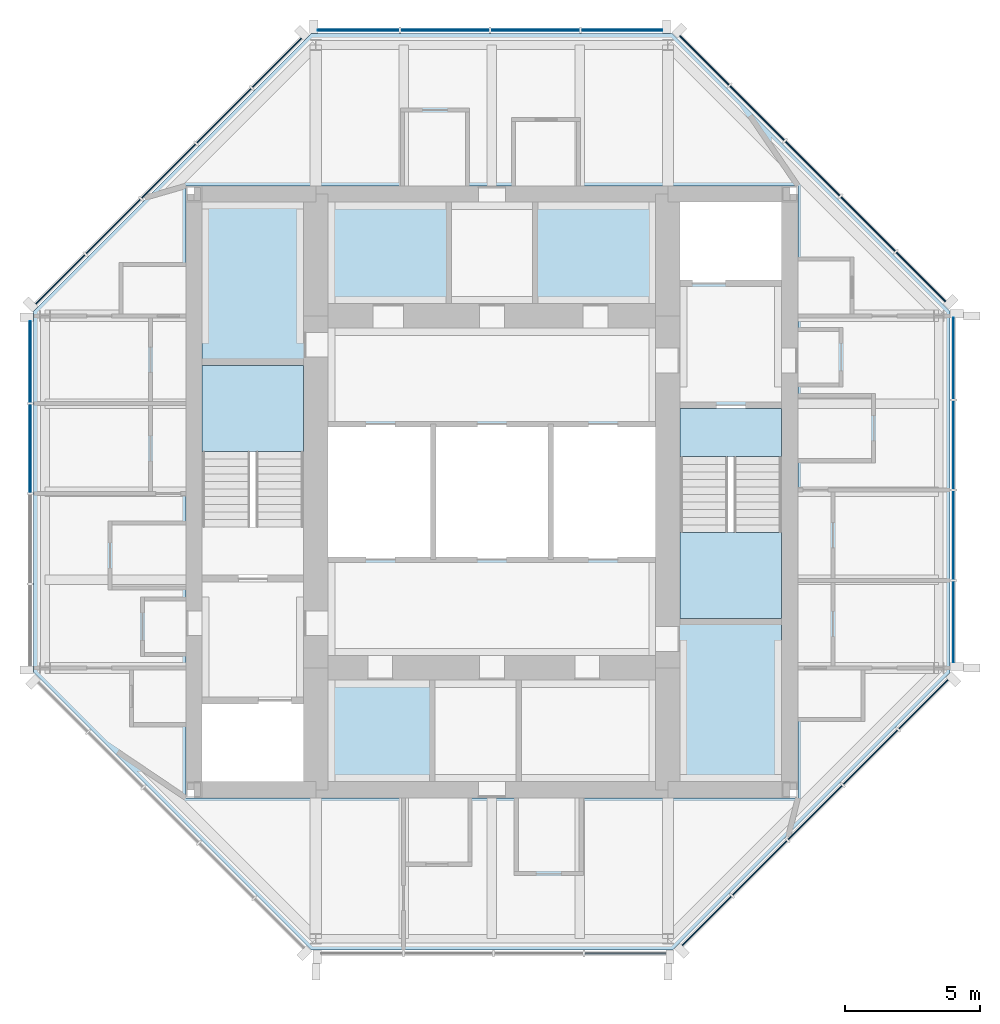
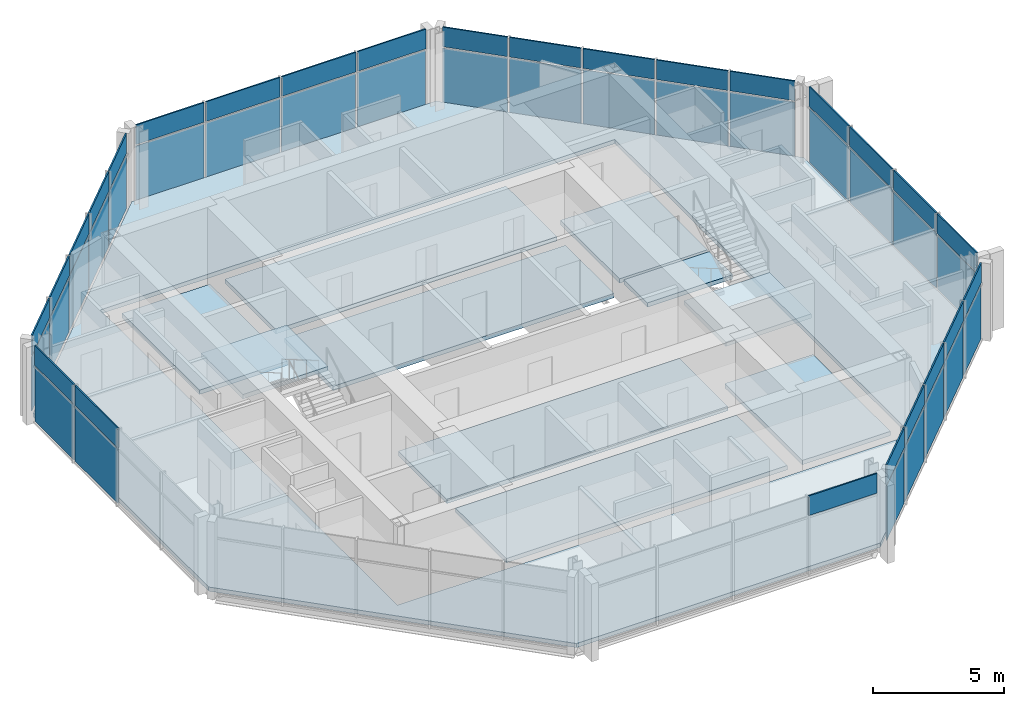
# One storey, part 4 of 9: 51 plates, 11 slabs, 9 elements without a shape of their own.
"""IFC4 building model written with IfcOpenShell, lengths in metres."""

import ifcopenshell
import ifcopenshell.guid

model = None  # the IFC model being written
_history = None  # IfcOwnerHistory: only IFC2X3 demands one
_inside = {}  # id of a spatial element -> (the spatial element, [elements in it])
_under = {}  # id of a project, library or spatial element -> (it, [spatial elements below it])
_declared = {}  # id of a project -> (the project, [libraries it declares])
_typed = {}  # id of a type object -> (the type object, [elements of that type])
_made_of = {}  # id of a material, layer set ... -> (it, [elements and type objects made of it])


def new_model(schema):
    """Start an empty IFC model of exactly this schema.

    Asked for "IFC4X3", IfcOpenShell would pick the latest addendum, in which some entities
    have other attributes; the version numbers below select the first issue.
    IFC2X3 requires an IfcOwnerHistory on every rooted entity: one is made here for all.
    """
    global model, _history
    if schema == "IFC4X3":
        model = ifcopenshell.file(schema_version=(4, 3, 0, 0))
    else:
        model = ifcopenshell.file(schema=schema)
    _inside.clear()
    _under.clear()
    _declared.clear()
    _typed.clear()
    _made_of.clear()
    _history = None
    if model.schema == "IFC2X3":
        org = make("IfcOrganization", Name="unknown")
        user = make(
            "IfcPersonAndOrganization",
            ThePerson=make("IfcPerson", FamilyName="unknown"),
            TheOrganization=org,
        )
        app = make(
            "IfcApplication",
            ApplicationDeveloper=org,
            Version="unknown",
            ApplicationFullName="unknown",
            ApplicationIdentifier="unknown",
        )
        _history = make(
            "IfcOwnerHistory",
            OwningUser=user,
            OwningApplication=app,
            ChangeAction="ADDED",
            CreationDate=0,
        )
    return model


def make(cls, **values):
    """One entity of the class cls with the attributes given. An attribute that is None is left unset."""
    return model.create_entity(
        cls, **{name: value for name, value in values.items() if value is not None}
    )


def rooted(cls, **values):
    """An entity with a GlobalId (a new one), such as an element, a storey or a relation."""
    return make(cls, GlobalId=ifcopenshell.guid.new(), OwnerHistory=_history, **values)


def si_unit(unit_type, name, prefix=None):
    """IfcSIUnit, for example si_unit("LENGTHUNIT", "METRE", prefix="MILLI")."""
    return make("IfcSIUnit", UnitType=unit_type, Prefix=prefix, Name=name)


def assignment(units):
    """IfcUnitAssignment: the units of a project."""
    return None if units is None else make("IfcUnitAssignment", Units=units)


def point(xyz):
    """IfcCartesianPoint."""
    return None if xyz is None else make("IfcCartesianPoint", Coordinates=xyz)


def direction(xyz):
    """IfcDirection."""
    return None if xyz is None else make("IfcDirection", DirectionRatios=xyz)


def frame(location, z_axis=None, x_axis=None):
    """IfcAxis2Placement3D, a coordinate frame: its origin and axes. An axis left out is left unset."""
    return make(
        "IfcAxis2Placement3D",
        Location=point(location),
        Axis=direction(z_axis),
        RefDirection=direction(x_axis),
    )


def frame_2d(location, x_axis=None):
    """IfcAxis2Placement2D, a coordinate frame in the plane: its origin and x axis."""
    return make(
        "IfcAxis2Placement2D", Location=point(location), RefDirection=direction(x_axis)
    )


def origin():
    """The frame at (0, 0, 0) with its axes left unset."""
    return frame((0.0, 0.0, 0.0))


def origin_2d():
    """The frame at (0, 0) in the plane with its x axis left unset."""
    return frame_2d((0.0, 0.0))


def place(relative_to, where):
    """IfcLocalPlacement: puts the frame where relative to a parent placement (None: the world)."""
    return make(
        "IfcLocalPlacement", PlacementRelTo=relative_to, RelativePlacement=where
    )


def context(
    kind, dimensions, precision=None, world=None, true_north=None, identifier=None
):
    """IfcGeometricRepresentationContext, for example the 3D "Model" context."""
    return make(
        "IfcGeometricRepresentationContext",
        ContextIdentifier=identifier,
        ContextType=kind,
        CoordinateSpaceDimension=dimensions,
        Precision=precision,
        WorldCoordinateSystem=world,
        TrueNorth=true_north,
    )


def subcontext(parent, identifier, kind, view, scale=None):
    """IfcGeometricRepresentationSubContext, for example "Body" below "Model"."""
    return make(
        "IfcGeometricRepresentationSubContext",
        ContextIdentifier=identifier,
        ContextType=kind,
        ParentContext=parent,
        TargetScale=scale,
        TargetView=view,
    )


def project(units=None, contexts=None):
    """IfcProject with its units and contexts."""
    return rooted(
        "IfcProject",
        Name="project",
        RepresentationContexts=contexts,
        UnitsInContext=assignment(units),
    )


def spatial(cls, under=None, at=None, **own):
    """A site, building, storey or space (cls), placed at a placement, below another one or the project."""
    s = rooted(cls, ObjectPlacement=at, **own)
    if under is not None:
        _under.setdefault(under.id(), (under, []))[1].append(s)
    return s


def polyline(points):
    """IfcPolyline through the points."""
    return make("IfcPolyline", Points=[point(p) for p in points])


def profile(cls, at=None, kind="AREA", **sizes):
    """A parametric profile (cls). Its sizes go by their IFC names, for example OverallWidth=200.0."""
    return make(cls, ProfileType=kind, Position=at, **sizes)


def rectangle(**sizes):
    """IfcRectangleProfileDef."""
    return profile("IfcRectangleProfileDef", **sizes)


def outline(outer, holes=None, kind="AREA"):
    """IfcArbitraryClosedProfileDef: a profile drawn as a closed curve; with holes, ...WithVoids."""
    if holes is None:
        return make("IfcArbitraryClosedProfileDef", ProfileType=kind, OuterCurve=outer)
    return make(
        "IfcArbitraryProfileDefWithVoids",
        ProfileType=kind,
        OuterCurve=outer,
        InnerCurves=holes,
    )


def extrude(swept, where, along, depth):
    """IfcExtrudedAreaSolid: the profile swept, set in the frame where, extruded along a direction by depth."""
    return make(
        "IfcExtrudedAreaSolid",
        SweptArea=swept,
        Position=where,
        ExtrudedDirection=direction(along),
        Depth=depth,
    )


def shape(context_of_items, identifier, shape_type, items):
    """IfcShapeRepresentation: the items that make up one representation, for example the "Body"."""
    return make(
        "IfcShapeRepresentation",
        ContextOfItems=context_of_items,
        RepresentationIdentifier=identifier,
        RepresentationType=shape_type,
        Items=items,
    )


def material(Name=None, Category=None):
    """IfcMaterial."""
    return make("IfcMaterial", Name=Name, Category=Category)


def layer(
    of_material, thickness, ventilated=None, Name=None, Category=None, Priority=None
):
    """IfcMaterialLayer: one layer of a wall or slab, of a material (None: an air gap)."""
    return make(
        "IfcMaterialLayer",
        Material=of_material,
        LayerThickness=thickness,
        IsVentilated=ventilated,
        Name=Name,
        Category=Category,
        Priority=Priority,
    )


def layer_set(layers, Name=None):
    """IfcMaterialLayerSet."""
    return make("IfcMaterialLayerSet", MaterialLayers=layers, LayerSetName=Name)


def made_of(thing, what):
    """Note that an element or type object is made of a material, layer set ...; save() writes the relation."""
    if what is not None:
        _made_of.setdefault(what.id(), (what, []))[1].append(thing)
    return thing


def type_object(cls, material=None, **own):
    """A type object (cls), such as IfcWallType, which elements share."""
    return made_of(rooted(cls, **own), material)


def element(
    cls,
    number,
    at=None,
    inside=None,
    cuts=None,
    type_object=None,
    material=None,
    context=None,
    identifier="Body",
    shape_type=None,
    held_by="IfcProductDefinitionShape",
    body=None,
    shapes=None,
    **own,
):
    """One element of the class cls, such as IfcWall. Its Tag is "e" and its number.

    at: its placement. inside: the storey or other place that contains it. cuts: it is an
    opening in that element (IfcRelVoidsElement). A single representation is given by context,
    identifier, shape_type and body (its items); several are given by shapes. held_by: the class
    of the entity that holds the representations. save() writes the other relations.
    """
    e = rooted(cls, Tag="e%d" % number, ObjectPlacement=at, **own)
    if body is not None:
        shapes = [shape(context, identifier, shape_type, body)]
    if shapes is not None:
        e.Representation = make(held_by, Representations=shapes)
    if inside is not None:
        _inside.setdefault(inside.id(), (inside, []))[1].append(e)
    if cuts is not None:
        rooted(
            "IfcRelVoidsElement", RelatingBuildingElement=cuts, RelatedOpeningElement=e
        )
    if type_object is not None:
        _typed.setdefault(type_object.id(), (type_object, []))[1].append(e)
    return made_of(e, material)


def aggregate(whole, parts):
    """IfcRelAggregates: a whole, such as a stair, and the parts it consists of."""
    return rooted("IfcRelAggregates", RelatingObject=whole, RelatedObjects=parts)


def save(model, path):
    """Write the relations noted so far, then the file.

    IfcRelAggregates (storeys below a building ...), IfcRelContainedInSpatialStructure (elements
    in a storey), IfcRelDefinesByType, IfcRelAssociatesMaterial and IfcRelDeclares: one each for
    every whole, place, type object, material and project.
    """
    for whole, parts in _under.values():
        aggregate(whole, parts)
    for where, things in _inside.values():
        rooted(
            "IfcRelContainedInSpatialStructure",
            RelatedElements=things,
            RelatingStructure=where,
        )
    for kind, things in _typed.values():
        rooted("IfcRelDefinesByType", RelatedObjects=things, RelatingType=kind)
    for what, things in _made_of.values():
        rooted("IfcRelAssociatesMaterial", RelatedObjects=things, RelatingMaterial=what)
    for by, libraries in _declared.values():
        rooted("IfcRelDeclares", RelatingContext=by, RelatedDefinitions=libraries)
    model.write(path)


model = new_model("IFC4")

# Units and contexts
model_context = context("Model", 3, precision=1e-05, world=origin(), true_north=direction((0.0, 1.0)))
body_context = subcontext(model_context, "Body", "Model", "MODEL_VIEW")
ifc_project = project(units=[si_unit("LENGTHUNIT", "METRE"), si_unit("AREAUNIT", "SQUARE_METRE"), si_unit("VOLUMEUNIT", "CUBIC_METRE"), si_unit("PLANEANGLEUNIT", "RADIAN"), si_unit("MASSUNIT", "GRAM", prefix="KILO")], contexts=[model_context])

# Site, building, storey
site_placement = place(None, origin())
site = spatial("IfcSite", under=ifc_project, at=site_placement, CompositionType="ELEMENT")
building_placement = place(site_placement, origin())
building = spatial("IfcBuilding", under=site, at=building_placement, Name="Trevanion Tower", CompositionType="ELEMENT")
storey_placement = place(building_placement, frame((0.0, 0.0, 295.60009765625)))
storey = spatial("IfcBuildingStorey", under=building, at=storey_placement, Name="L73", CompositionType="ELEMENT", Elevation=295.60009765625)

# Curtain wall, plates
ifc_material_1 = material(Name="Aluminium and glass", Category="aluminium")
curtain_wall_type = type_object("IfcCurtainWallType", Name="CW4 curtain wall", PredefinedType="USERDEFINED", material=ifc_material_1)
curtain_wall_1_placement = place(storey_placement, origin())
curtain_wall_1 = element("IfcCurtainWall", 1, at=curtain_wall_1_placement, inside=storey, type_object=curtain_wall_type, Name="CW4 L73 0", ObjectType="UNITISED CURTAIN WALL", PredefinedType="USERDEFINED")
ifc_material_2 = material(Name="Aluminium spandrel panel", Category="aluminium")
ifc_layer_1 = layer(ifc_material_2, 0.06005859375)
ifc_layer_set_1 = layer_set([ifc_layer_1], Name="CW4 spandrel panel")
plate_type_1 = type_object("IfcPlateType", Name="CW4 spandrel panel", PredefinedType="CURTAIN_PANEL", material=ifc_layer_set_1)
plate_1_placement = place(storey_placement, frame((17.050048828125, -4.80078125, 2.497314453125), z_axis=(0.0, 0.0, 1.0), x_axis=(0.0, 1.0, 0.0)))
plate_1 = element("IfcPlate", 2, at=plate_1_placement, type_object=plate_type_1, Name="CW4 panel 1.2", PredefinedType="CURTAIN_PANEL", context=body_context, shape_type="SweptSolid", body=[
    extrude(rectangle(XDim=2.993896484375, YDim=0.06005859375, at=origin_2d()), origin(), (0.0, 0.0, 1.0), 0.91259765625),
])
plate_2_placement = place(storey_placement, frame((17.050048828125, -1.6005859375, 2.497314453125), z_axis=(0.0, 0.0, 1.0), x_axis=(0.0, 1.0, 0.0)))
plate_2 = element("IfcPlate", 3, at=plate_2_placement, type_object=plate_type_1, Name="CW4 panel 2.2", PredefinedType="CURTAIN_PANEL", context=body_context, shape_type="SweptSolid", body=[
    extrude(rectangle(XDim=3.25634765625, YDim=0.06005859375, at=origin_2d()), origin(), (0.0, 0.0, 1.0), 0.91259765625),
])
plate_3_placement = place(storey_placement, frame((17.050048828125, 1.730712890625, 2.497314453125), z_axis=(0.0, 0.0, 1.0), x_axis=(0.0, 1.0, 0.0)))
plate_3 = element("IfcPlate", 4, at=plate_3_placement, type_object=plate_type_1, Name="CW4 panel 3.2", PredefinedType="CURTAIN_PANEL", context=body_context, shape_type="SweptSolid", body=[
    extrude(rectangle(XDim=3.25634765625, YDim=0.06005859375, at=origin_2d()), origin(), (0.0, 0.0, 1.0), 0.91259765625),
])
plate_4_placement = place(storey_placement, frame((17.050048828125, 4.930908203125, 2.497314453125), z_axis=(0.0, 0.0, 1.0), x_axis=(0.0, 1.0, 0.0)))
plate_4 = element("IfcPlate", 5, at=plate_4_placement, type_object=plate_type_1, Name="CW4 panel 4.2", PredefinedType="CURTAIN_PANEL", context=body_context, shape_type="SweptSolid", body=[
    extrude(rectangle(XDim=2.993896484375, YDim=0.06005859375, at=origin_2d()), origin(), (0.0, 0.0, 1.0), 0.91259765625),
])

curtain_wall_2_placement = place(storey_placement, origin())
curtain_wall_2 = element("IfcCurtainWall", 6, at=curtain_wall_2_placement, inside=storey, type_object=curtain_wall_type, Name="CW4 L73 1", ObjectType="UNITISED CURTAIN WALL", PredefinedType="USERDEFINED")
plate_5_placement = place(storey_placement, frame((15.84228515625, 7.935546875, 2.497314453125), z_axis=(0.0, 0.0, 1.0), x_axis=(-0.707106781187, 0.707106781187, 0.0)))
plate_5 = element("IfcPlate", 7, at=plate_5_placement, type_object=plate_type_1, Name="CW4 panel 1.2", PredefinedType="CURTAIN_PANEL", context=body_context, shape_type="SweptSolid", body=[
    extrude(rectangle(XDim=2.55615234375, YDim=0.06005859375, at=origin_2d()), origin(), (0.0, 0.0, 1.0), 0.91259765625),
])
plate_6_placement = place(storey_placement, frame((13.888916015625, 9.888916015625, 2.497314453125), z_axis=(0.0, 0.0, 1.0), x_axis=(-0.707106781187, 0.707106781187, 0.0)))
plate_6 = element("IfcPlate", 8, at=plate_6_placement, type_object=plate_type_1, Name="CW4 panel 2.2", PredefinedType="CURTAIN_PANEL", context=body_context, shape_type="SweptSolid", body=[
    extrude(rectangle(XDim=2.818603515625, YDim=0.06005859375, at=origin_2d()), origin(), (0.0, 0.0, 1.0), 0.91259765625),
])
plate_7_placement = place(storey_placement, frame((11.843017578125, 11.934814453125, 2.497314453125), z_axis=(0.0, 0.0, 1.0), x_axis=(-0.707106781187, 0.707106781187, 0.0)))
plate_7 = element("IfcPlate", 9, at=plate_7_placement, type_object=plate_type_1, Name="CW4 panel 3.2", PredefinedType="CURTAIN_PANEL", context=body_context, shape_type="SweptSolid", body=[
    extrude(rectangle(XDim=2.818603515625, YDim=0.06005859375, at=origin_2d()), origin(), (0.0, 0.0, 1.0), 0.91259765625),
])
plate_8_placement = place(storey_placement, frame((9.796875, 13.98095703125, 2.497314453125), z_axis=(0.0, 0.0, 1.0), x_axis=(-0.707106781187, 0.707106781187, 0.0)))
plate_8 = element("IfcPlate", 10, at=plate_8_placement, type_object=plate_type_1, Name="CW4 panel 4.2", PredefinedType="CURTAIN_PANEL", context=body_context, shape_type="SweptSolid", body=[
    extrude(rectangle(XDim=2.818603515625, YDim=0.06005859375, at=origin_2d()), origin(), (0.0, 0.0, 1.0), 0.91259765625),
])
plate_9_placement = place(storey_placement, frame((7.84375, 15.93408203125, 2.497314453125), z_axis=(0.0, 0.0, 1.0), x_axis=(-0.707106781187, 0.707106781187, 0.0)))
plate_9 = element("IfcPlate", 11, at=plate_9_placement, type_object=plate_type_1, Name="CW4 panel 5.2", PredefinedType="CURTAIN_PANEL", context=body_context, shape_type="SweptSolid", body=[
    extrude(rectangle(XDim=2.55615234375, YDim=0.06005859375, at=origin_2d()), origin(), (0.0, 0.0, 1.0), 0.91259765625),
])

curtain_wall_3_placement = place(storey_placement, origin())
curtain_wall_3 = element("IfcCurtainWall", 12, at=curtain_wall_3_placement, inside=storey, type_object=curtain_wall_type, Name="CW4 L73 2", ObjectType="UNITISED CURTAIN WALL", PredefinedType="USERDEFINED")
plate_10_placement = place(storey_placement, frame((4.80078125, 17.050048828125, 2.497314453125), z_axis=(0.0, 0.0, 1.0), x_axis=(-1.0, 0.0, 0.0)))
plate_10 = element("IfcPlate", 13, at=plate_10_placement, type_object=plate_type_1, Name="CW4 panel 1.2", PredefinedType="CURTAIN_PANEL", context=body_context, shape_type="SweptSolid", body=[
    extrude(rectangle(XDim=2.993896484375, YDim=0.06005859375, at=origin_2d()), origin(), (0.0, 0.0, 1.0), 0.91259765625),
])
plate_11_placement = place(storey_placement, frame((1.6005859375, 17.050048828125, 2.497314453125), z_axis=(0.0, 0.0, 1.0), x_axis=(-1.0, 0.0, 0.0)))
plate_11 = element("IfcPlate", 14, at=plate_11_placement, type_object=plate_type_1, Name="CW4 panel 2.2", PredefinedType="CURTAIN_PANEL", context=body_context, shape_type="SweptSolid", body=[
    extrude(rectangle(XDim=3.25634765625, YDim=0.06005859375, at=origin_2d()), origin(), (0.0, 0.0, 1.0), 0.91259765625),
])
plate_12_placement = place(storey_placement, frame((-1.730712890625, 17.050048828125, 2.497314453125), z_axis=(0.0, 0.0, 1.0), x_axis=(-1.0, 0.0, 0.0)))
plate_12 = element("IfcPlate", 15, at=plate_12_placement, type_object=plate_type_1, Name="CW4 panel 3.2", PredefinedType="CURTAIN_PANEL", context=body_context, shape_type="SweptSolid", body=[
    extrude(rectangle(XDim=3.25634765625, YDim=0.06005859375, at=origin_2d()), origin(), (0.0, 0.0, 1.0), 0.91259765625),
])
plate_13_placement = place(storey_placement, frame((-4.930908203125, 17.050048828125, 2.497314453125), z_axis=(0.0, 0.0, 1.0), x_axis=(-1.0, 0.0, 0.0)))
plate_13 = element("IfcPlate", 16, at=plate_13_placement, type_object=plate_type_1, Name="CW4 panel 4.2", PredefinedType="CURTAIN_PANEL", context=body_context, shape_type="SweptSolid", body=[
    extrude(rectangle(XDim=2.993896484375, YDim=0.06005859375, at=origin_2d()), origin(), (0.0, 0.0, 1.0), 0.91259765625),
])

curtain_wall_4_placement = place(storey_placement, origin())
curtain_wall_4 = element("IfcCurtainWall", 17, at=curtain_wall_4_placement, inside=storey, type_object=curtain_wall_type, Name="CW4 L73 3", ObjectType="UNITISED CURTAIN WALL", PredefinedType="USERDEFINED")
plate_14_placement = place(storey_placement, frame((-7.935546875, 15.84228515625, 2.497314453125), z_axis=(0.0, 0.0, 1.0), x_axis=(-0.707106781187, -0.707106781187, 0.0)))
plate_14 = element("IfcPlate", 18, at=plate_14_placement, type_object=plate_type_1, Name="CW4 panel 1.2", PredefinedType="CURTAIN_PANEL", context=body_context, shape_type="SweptSolid", body=[
    extrude(rectangle(XDim=2.55615234375, YDim=0.06005859375, at=origin_2d()), origin(), (0.0, 0.0, 1.0), 0.91259765625),
])
plate_15_placement = place(storey_placement, frame((-9.888916015625, 13.888916015625, 2.497314453125), z_axis=(0.0, 0.0, 1.0), x_axis=(-0.707106781187, -0.707106781187, 0.0)))
plate_15 = element("IfcPlate", 19, at=plate_15_placement, type_object=plate_type_1, Name="CW4 panel 2.2", PredefinedType="CURTAIN_PANEL", context=body_context, shape_type="SweptSolid", body=[
    extrude(rectangle(XDim=2.818603515625, YDim=0.06005859375, at=origin_2d()), origin(), (0.0, 0.0, 1.0), 0.91259765625),
])
plate_16_placement = place(storey_placement, frame((-11.934814453125, 11.843017578125, 2.497314453125), z_axis=(0.0, 0.0, 1.0), x_axis=(-0.707106781187, -0.707106781187, 0.0)))
plate_16 = element("IfcPlate", 20, at=plate_16_placement, type_object=plate_type_1, Name="CW4 panel 3.2", PredefinedType="CURTAIN_PANEL", context=body_context, shape_type="SweptSolid", body=[
    extrude(rectangle(XDim=2.818603515625, YDim=0.06005859375, at=origin_2d()), origin(), (0.0, 0.0, 1.0), 0.91259765625),
])
plate_17_placement = place(storey_placement, frame((-13.98095703125, 9.796875, 2.497314453125), z_axis=(0.0, 0.0, 1.0), x_axis=(-0.707106781187, -0.707106781187, 0.0)))
plate_17 = element("IfcPlate", 21, at=plate_17_placement, type_object=plate_type_1, Name="CW4 panel 4.2", PredefinedType="CURTAIN_PANEL", context=body_context, shape_type="SweptSolid", body=[
    extrude(rectangle(XDim=2.818603515625, YDim=0.06005859375, at=origin_2d()), origin(), (0.0, 0.0, 1.0), 0.91259765625),
])
plate_18_placement = place(storey_placement, frame((-15.93408203125, 7.84375, 2.497314453125), z_axis=(0.0, 0.0, 1.0), x_axis=(-0.707106781187, -0.707106781187, 0.0)))
plate_18 = element("IfcPlate", 22, at=plate_18_placement, type_object=plate_type_1, Name="CW4 panel 5.2", PredefinedType="CURTAIN_PANEL", context=body_context, shape_type="SweptSolid", body=[
    extrude(rectangle(XDim=2.55615234375, YDim=0.06005859375, at=origin_2d()), origin(), (0.0, 0.0, 1.0), 0.91259765625),
])

curtain_wall_5_placement = place(storey_placement, origin())
curtain_wall_5 = element("IfcCurtainWall", 23, at=curtain_wall_5_placement, inside=storey, type_object=curtain_wall_type, Name="CW4 L73 4", ObjectType="UNITISED CURTAIN WALL", PredefinedType="USERDEFINED")
plate_19_placement = place(storey_placement, frame((-17.050048828125, 4.80078125, 2.497314453125), z_axis=(0.0, 0.0, 1.0), x_axis=(0.0, -1.0, 0.0)))
plate_19 = element("IfcPlate", 24, at=plate_19_placement, type_object=plate_type_1, Name="CW4 panel 1.2", PredefinedType="CURTAIN_PANEL", context=body_context, shape_type="SweptSolid", body=[
    extrude(rectangle(XDim=2.993896484375, YDim=0.06005859375, at=origin_2d()), origin(), (0.0, 0.0, 1.0), 0.91259765625),
])
plate_20_placement = place(storey_placement, frame((-17.050048828125, 1.6005859375, 2.497314453125), z_axis=(0.0, 0.0, 1.0), x_axis=(0.0, -1.0, 0.0)))
plate_20 = element("IfcPlate", 25, at=plate_20_placement, type_object=plate_type_1, Name="CW4 panel 2.2", PredefinedType="CURTAIN_PANEL", context=body_context, shape_type="SweptSolid", body=[
    extrude(rectangle(XDim=3.25634765625, YDim=0.06005859375, at=origin_2d()), origin(), (0.0, 0.0, 1.0), 0.91259765625),
])

# Curtain wall, plate
curtain_wall_6_placement = place(storey_placement, origin())
curtain_wall_6 = element("IfcCurtainWall", 26, at=curtain_wall_6_placement, inside=storey, type_object=curtain_wall_type, Name="CW4 L73 6", ObjectType="UNITISED CURTAIN WALL", PredefinedType="USERDEFINED")
plate_21_placement = place(storey_placement, frame((4.930908203125, -17.050048828125, 2.497314453125), z_axis=(0.0, 0.0, 1.0), x_axis=(1.0, 0.0, 0.0)))
plate_21 = element("IfcPlate", 27, at=plate_21_placement, type_object=plate_type_1, Name="CW4 panel 4.2", PredefinedType="CURTAIN_PANEL", context=body_context, shape_type="SweptSolid", body=[
    extrude(rectangle(XDim=2.993896484375, YDim=0.06005859375, at=origin_2d()), origin(), (0.0, 0.0, 1.0), 0.91259765625),
])
aggregate(curtain_wall_6, [plate_21])

# Curtain wall, plates
curtain_wall_7_placement = place(storey_placement, origin())
curtain_wall_7 = element("IfcCurtainWall", 28, at=curtain_wall_7_placement, inside=storey, type_object=curtain_wall_type, Name="CW4 L73 7", ObjectType="UNITISED CURTAIN WALL", PredefinedType="USERDEFINED")
plate_22_placement = place(storey_placement, frame((7.935546875, -15.84228515625, 2.497314453125), z_axis=(0.0, 0.0, 1.0), x_axis=(0.707106781187, 0.707106781187, 0.0)))
plate_22 = element("IfcPlate", 29, at=plate_22_placement, type_object=plate_type_1, Name="CW4 panel 1.2", PredefinedType="CURTAIN_PANEL", context=body_context, shape_type="SweptSolid", body=[
    extrude(rectangle(XDim=2.55615234375, YDim=0.06005859375, at=origin_2d()), origin(), (0.0, 0.0, 1.0), 0.91259765625),
])
plate_23_placement = place(storey_placement, frame((9.888916015625, -13.888916015625, 2.497314453125), z_axis=(0.0, 0.0, 1.0), x_axis=(0.707106781187, 0.707106781187, 0.0)))
plate_23 = element("IfcPlate", 30, at=plate_23_placement, type_object=plate_type_1, Name="CW4 panel 2.2", PredefinedType="CURTAIN_PANEL", context=body_context, shape_type="SweptSolid", body=[
    extrude(rectangle(XDim=2.818603515625, YDim=0.06005859375, at=origin_2d()), origin(), (0.0, 0.0, 1.0), 0.91259765625),
])
plate_24_placement = place(storey_placement, frame((11.934814453125, -11.843017578125, 2.497314453125), z_axis=(0.0, 0.0, 1.0), x_axis=(0.707106781187, 0.707106781187, 0.0)))
plate_24 = element("IfcPlate", 31, at=plate_24_placement, type_object=plate_type_1, Name="CW4 panel 3.2", PredefinedType="CURTAIN_PANEL", context=body_context, shape_type="SweptSolid", body=[
    extrude(rectangle(XDim=2.818603515625, YDim=0.06005859375, at=origin_2d()), origin(), (0.0, 0.0, 1.0), 0.91259765625),
])
plate_25_placement = place(storey_placement, frame((13.98095703125, -9.796875, 2.497314453125), z_axis=(0.0, 0.0, 1.0), x_axis=(0.707106781187, 0.707106781187, 0.0)))
plate_25 = element("IfcPlate", 32, at=plate_25_placement, type_object=plate_type_1, Name="CW4 panel 4.2", PredefinedType="CURTAIN_PANEL", context=body_context, shape_type="SweptSolid", body=[
    extrude(rectangle(XDim=2.818603515625, YDim=0.06005859375, at=origin_2d()), origin(), (0.0, 0.0, 1.0), 0.91259765625),
])
plate_26_placement = place(storey_placement, frame((15.93408203125, -7.84375, 2.497314453125), z_axis=(0.0, 0.0, 1.0), x_axis=(0.707106781187, 0.707106781187, 0.0)))
plate_26 = element("IfcPlate", 33, at=plate_26_placement, type_object=plate_type_1, Name="CW4 panel 5.2", PredefinedType="CURTAIN_PANEL", context=body_context, shape_type="SweptSolid", body=[
    extrude(rectangle(XDim=2.55615234375, YDim=0.06005859375, at=origin_2d()), origin(), (0.0, 0.0, 1.0), 0.91259765625),
])

# Plate
ifc_material_3 = material(Name="Insulating glass unit", Category="glass")
ifc_layer_2 = layer(ifc_material_3, 0.028076171875)
ifc_layer_set_2 = layer_set([ifc_layer_2], Name="CW4 vision panel")
plate_type_2 = type_object("IfcPlateType", Name="CW4 vision panel", PredefinedType="CURTAIN_PANEL", material=ifc_layer_set_2)
plate_27_placement = place(storey_placement, frame((17.050048828125, -4.80078125, -0.114990234375), z_axis=(0.0, 0.0, 1.0), x_axis=(0.0, 1.0, 0.0)))
plate_27 = element("IfcPlate", 34, at=plate_27_placement, type_object=plate_type_2, Name="CW4 panel 1.1", PredefinedType="CURTAIN_PANEL", context=body_context, shape_type="SweptSolid", body=[
    extrude(rectangle(XDim=2.993896484375, YDim=0.028076171875, at=origin_2d()), origin(), (0.0, 0.0, 1.0), 2.53759765625),
])

plate_28_placement = place(storey_placement, frame((17.050048828125, -1.6005859375, -0.114990234375), z_axis=(0.0, 0.0, 1.0), x_axis=(0.0, 1.0, 0.0)))
plate_28 = element("IfcPlate", 35, at=plate_28_placement, type_object=plate_type_2, Name="CW4 panel 2.1", PredefinedType="CURTAIN_PANEL", context=body_context, shape_type="SweptSolid", body=[
    extrude(rectangle(XDim=3.25634765625, YDim=0.028076171875, at=origin_2d()), origin(), (0.0, 0.0, 1.0), 2.53759765625),
])

plate_29_placement = place(storey_placement, frame((17.050048828125, 1.730712890625, -0.114990234375), z_axis=(0.0, 0.0, 1.0), x_axis=(0.0, 1.0, 0.0)))
plate_29 = element("IfcPlate", 36, at=plate_29_placement, type_object=plate_type_2, Name="CW4 panel 3.1", PredefinedType="CURTAIN_PANEL", context=body_context, shape_type="SweptSolid", body=[
    extrude(rectangle(XDim=3.25634765625, YDim=0.028076171875, at=origin_2d()), origin(), (0.0, 0.0, 1.0), 2.53759765625),
])

plate_30_placement = place(storey_placement, frame((17.050048828125, 4.930908203125, -0.114990234375), z_axis=(0.0, 0.0, 1.0), x_axis=(0.0, 1.0, 0.0)))
plate_30 = element("IfcPlate", 37, at=plate_30_placement, type_object=plate_type_2, Name="CW4 panel 4.1", PredefinedType="CURTAIN_PANEL", context=body_context, shape_type="SweptSolid", body=[
    extrude(rectangle(XDim=2.993896484375, YDim=0.028076171875, at=origin_2d()), origin(), (0.0, 0.0, 1.0), 2.53759765625),
])

aggregate(curtain_wall_1, [plate_27, plate_1, plate_28, plate_2, plate_29, plate_3, plate_30, plate_4])

plate_31_placement = place(storey_placement, frame((15.84228515625, 7.935546875, -0.114990234375), z_axis=(0.0, 0.0, 1.0), x_axis=(-0.707106781187, 0.707106781187, 0.0)))
plate_31 = element("IfcPlate", 38, at=plate_31_placement, type_object=plate_type_2, Name="CW4 panel 1.1", PredefinedType="CURTAIN_PANEL", context=body_context, shape_type="SweptSolid", body=[
    extrude(rectangle(XDim=2.55615234375, YDim=0.028076171875, at=origin_2d()), origin(), (0.0, 0.0, 1.0), 2.53759765625),
])

plate_32_placement = place(storey_placement, frame((13.888916015625, 9.888916015625, -0.114990234375), z_axis=(0.0, 0.0, 1.0), x_axis=(-0.707106781187, 0.707106781187, 0.0)))
plate_32 = element("IfcPlate", 39, at=plate_32_placement, type_object=plate_type_2, Name="CW4 panel 2.1", PredefinedType="CURTAIN_PANEL", context=body_context, shape_type="SweptSolid", body=[
    extrude(rectangle(XDim=2.818603515625, YDim=0.028076171875, at=origin_2d()), origin(), (0.0, 0.0, 1.0), 2.53759765625),
])

plate_33_placement = place(storey_placement, frame((11.843017578125, 11.934814453125, -0.114990234375), z_axis=(0.0, 0.0, 1.0), x_axis=(-0.707106781187, 0.707106781187, 0.0)))
plate_33 = element("IfcPlate", 40, at=plate_33_placement, type_object=plate_type_2, Name="CW4 panel 3.1", PredefinedType="CURTAIN_PANEL", context=body_context, shape_type="SweptSolid", body=[
    extrude(rectangle(XDim=2.818603515625, YDim=0.028076171875, at=origin_2d()), origin(), (0.0, 0.0, 1.0), 2.53759765625),
])

plate_34_placement = place(storey_placement, frame((9.796875, 13.98095703125, -0.114990234375), z_axis=(0.0, 0.0, 1.0), x_axis=(-0.707106781187, 0.707106781187, 0.0)))
plate_34 = element("IfcPlate", 41, at=plate_34_placement, type_object=plate_type_2, Name="CW4 panel 4.1", PredefinedType="CURTAIN_PANEL", context=body_context, shape_type="SweptSolid", body=[
    extrude(rectangle(XDim=2.818603515625, YDim=0.028076171875, at=origin_2d()), origin(), (0.0, 0.0, 1.0), 2.53759765625),
])

plate_35_placement = place(storey_placement, frame((7.84375, 15.93408203125, -0.114990234375), z_axis=(0.0, 0.0, 1.0), x_axis=(-0.707106781187, 0.707106781187, 0.0)))
plate_35 = element("IfcPlate", 42, at=plate_35_placement, type_object=plate_type_2, Name="CW4 panel 5.1", PredefinedType="CURTAIN_PANEL", context=body_context, shape_type="SweptSolid", body=[
    extrude(rectangle(XDim=2.55615234375, YDim=0.028076171875, at=origin_2d()), origin(), (0.0, 0.0, 1.0), 2.53759765625),
])

aggregate(curtain_wall_2, [plate_31, plate_5, plate_32, plate_6, plate_33, plate_7, plate_34, plate_8, plate_35, plate_9])

plate_36_placement = place(storey_placement, frame((4.80078125, 17.050048828125, -0.114990234375), z_axis=(0.0, 0.0, 1.0), x_axis=(-1.0, 0.0, 0.0)))
plate_36 = element("IfcPlate", 43, at=plate_36_placement, type_object=plate_type_2, Name="CW4 panel 1.1", PredefinedType="CURTAIN_PANEL", context=body_context, shape_type="SweptSolid", body=[
    extrude(rectangle(XDim=2.993896484375, YDim=0.028076171875, at=origin_2d()), origin(), (0.0, 0.0, 1.0), 2.53759765625),
])

plate_37_placement = place(storey_placement, frame((1.6005859375, 17.050048828125, -0.114990234375), z_axis=(0.0, 0.0, 1.0), x_axis=(-1.0, 0.0, 0.0)))
plate_37 = element("IfcPlate", 44, at=plate_37_placement, type_object=plate_type_2, Name="CW4 panel 2.1", PredefinedType="CURTAIN_PANEL", context=body_context, shape_type="SweptSolid", body=[
    extrude(rectangle(XDim=3.25634765625, YDim=0.028076171875, at=origin_2d()), origin(), (0.0, 0.0, 1.0), 2.53759765625),
])

plate_38_placement = place(storey_placement, frame((-1.730712890625, 17.050048828125, -0.114990234375), z_axis=(0.0, 0.0, 1.0), x_axis=(-1.0, 0.0, 0.0)))
plate_38 = element("IfcPlate", 45, at=plate_38_placement, type_object=plate_type_2, Name="CW4 panel 3.1", PredefinedType="CURTAIN_PANEL", context=body_context, shape_type="SweptSolid", body=[
    extrude(rectangle(XDim=3.25634765625, YDim=0.028076171875, at=origin_2d()), origin(), (0.0, 0.0, 1.0), 2.53759765625),
])

plate_39_placement = place(storey_placement, frame((-4.930908203125, 17.050048828125, -0.114990234375), z_axis=(0.0, 0.0, 1.0), x_axis=(-1.0, 0.0, 0.0)))
plate_39 = element("IfcPlate", 46, at=plate_39_placement, type_object=plate_type_2, Name="CW4 panel 4.1", PredefinedType="CURTAIN_PANEL", context=body_context, shape_type="SweptSolid", body=[
    extrude(rectangle(XDim=2.993896484375, YDim=0.028076171875, at=origin_2d()), origin(), (0.0, 0.0, 1.0), 2.53759765625),
])

aggregate(curtain_wall_3, [plate_36, plate_10, plate_37, plate_11, plate_38, plate_12, plate_39, plate_13])

plate_40_placement = place(storey_placement, frame((-7.935546875, 15.84228515625, -0.114990234375), z_axis=(0.0, 0.0, 1.0), x_axis=(-0.707106781187, -0.707106781187, 0.0)))
plate_40 = element("IfcPlate", 47, at=plate_40_placement, type_object=plate_type_2, Name="CW4 panel 1.1", PredefinedType="CURTAIN_PANEL", context=body_context, shape_type="SweptSolid", body=[
    extrude(rectangle(XDim=2.55615234375, YDim=0.028076171875, at=origin_2d()), origin(), (0.0, 0.0, 1.0), 2.53759765625),
])

plate_41_placement = place(storey_placement, frame((-9.888916015625, 13.888916015625, -0.114990234375), z_axis=(0.0, 0.0, 1.0), x_axis=(-0.707106781187, -0.707106781187, 0.0)))
plate_41 = element("IfcPlate", 48, at=plate_41_placement, type_object=plate_type_2, Name="CW4 panel 2.1", PredefinedType="CURTAIN_PANEL", context=body_context, shape_type="SweptSolid", body=[
    extrude(rectangle(XDim=2.818603515625, YDim=0.028076171875, at=origin_2d()), origin(), (0.0, 0.0, 1.0), 2.53759765625),
])

plate_42_placement = place(storey_placement, frame((-11.934814453125, 11.843017578125, -0.114990234375), z_axis=(0.0, 0.0, 1.0), x_axis=(-0.707106781187, -0.707106781187, 0.0)))
plate_42 = element("IfcPlate", 49, at=plate_42_placement, type_object=plate_type_2, Name="CW4 panel 3.1", PredefinedType="CURTAIN_PANEL", context=body_context, shape_type="SweptSolid", body=[
    extrude(rectangle(XDim=2.818603515625, YDim=0.028076171875, at=origin_2d()), origin(), (0.0, 0.0, 1.0), 2.53759765625),
])

plate_43_placement = place(storey_placement, frame((-13.98095703125, 9.796875, -0.114990234375), z_axis=(0.0, 0.0, 1.0), x_axis=(-0.707106781187, -0.707106781187, 0.0)))
plate_43 = element("IfcPlate", 50, at=plate_43_placement, type_object=plate_type_2, Name="CW4 panel 4.1", PredefinedType="CURTAIN_PANEL", context=body_context, shape_type="SweptSolid", body=[
    extrude(rectangle(XDim=2.818603515625, YDim=0.028076171875, at=origin_2d()), origin(), (0.0, 0.0, 1.0), 2.53759765625),
])

plate_44_placement = place(storey_placement, frame((-15.93408203125, 7.84375, -0.114990234375), z_axis=(0.0, 0.0, 1.0), x_axis=(-0.707106781187, -0.707106781187, 0.0)))
plate_44 = element("IfcPlate", 51, at=plate_44_placement, type_object=plate_type_2, Name="CW4 panel 5.1", PredefinedType="CURTAIN_PANEL", context=body_context, shape_type="SweptSolid", body=[
    extrude(rectangle(XDim=2.55615234375, YDim=0.028076171875, at=origin_2d()), origin(), (0.0, 0.0, 1.0), 2.53759765625),
])

aggregate(curtain_wall_4, [plate_40, plate_14, plate_41, plate_15, plate_42, plate_16, plate_43, plate_17, plate_44, plate_18])

plate_45_placement = place(storey_placement, frame((-17.050048828125, 4.80078125, -0.114990234375), z_axis=(0.0, 0.0, 1.0), x_axis=(0.0, -1.0, 0.0)))
plate_45 = element("IfcPlate", 52, at=plate_45_placement, type_object=plate_type_2, Name="CW4 panel 1.1", PredefinedType="CURTAIN_PANEL", context=body_context, shape_type="SweptSolid", body=[
    extrude(rectangle(XDim=2.993896484375, YDim=0.028076171875, at=origin_2d()), origin(), (0.0, 0.0, 1.0), 2.53759765625),
])

plate_46_placement = place(storey_placement, frame((-17.050048828125, 1.6005859375, -0.114990234375), z_axis=(0.0, 0.0, 1.0), x_axis=(0.0, -1.0, 0.0)))
plate_46 = element("IfcPlate", 53, at=plate_46_placement, type_object=plate_type_2, Name="CW4 panel 2.1", PredefinedType="CURTAIN_PANEL", context=body_context, shape_type="SweptSolid", body=[
    extrude(rectangle(XDim=3.25634765625, YDim=0.028076171875, at=origin_2d()), origin(), (0.0, 0.0, 1.0), 2.53759765625),
])

aggregate(curtain_wall_5, [plate_45, plate_19, plate_46, plate_20])

plate_47_placement = place(storey_placement, frame((7.935546875, -15.84228515625, -0.114990234375), z_axis=(0.0, 0.0, 1.0), x_axis=(0.707106781187, 0.707106781187, 0.0)))
plate_47 = element("IfcPlate", 54, at=plate_47_placement, type_object=plate_type_2, Name="CW4 panel 1.1", PredefinedType="CURTAIN_PANEL", context=body_context, shape_type="SweptSolid", body=[
    extrude(rectangle(XDim=2.55615234375, YDim=0.028076171875, at=origin_2d()), origin(), (0.0, 0.0, 1.0), 2.53759765625),
])

plate_48_placement = place(storey_placement, frame((9.888916015625, -13.888916015625, -0.114990234375), z_axis=(0.0, 0.0, 1.0), x_axis=(0.707106781187, 0.707106781187, 0.0)))
plate_48 = element("IfcPlate", 55, at=plate_48_placement, type_object=plate_type_2, Name="CW4 panel 2.1", PredefinedType="CURTAIN_PANEL", context=body_context, shape_type="SweptSolid", body=[
    extrude(rectangle(XDim=2.818603515625, YDim=0.028076171875, at=origin_2d()), origin(), (0.0, 0.0, 1.0), 2.53759765625),
])

plate_49_placement = place(storey_placement, frame((11.934814453125, -11.843017578125, -0.114990234375), z_axis=(0.0, 0.0, 1.0), x_axis=(0.707106781187, 0.707106781187, 0.0)))
plate_49 = element("IfcPlate", 56, at=plate_49_placement, type_object=plate_type_2, Name="CW4 panel 3.1", PredefinedType="CURTAIN_PANEL", context=body_context, shape_type="SweptSolid", body=[
    extrude(rectangle(XDim=2.818603515625, YDim=0.028076171875, at=origin_2d()), origin(), (0.0, 0.0, 1.0), 2.53759765625),
])

plate_50_placement = place(storey_placement, frame((13.98095703125, -9.796875, -0.114990234375), z_axis=(0.0, 0.0, 1.0), x_axis=(0.707106781187, 0.707106781187, 0.0)))
plate_50 = element("IfcPlate", 57, at=plate_50_placement, type_object=plate_type_2, Name="CW4 panel 4.1", PredefinedType="CURTAIN_PANEL", context=body_context, shape_type="SweptSolid", body=[
    extrude(rectangle(XDim=2.818603515625, YDim=0.028076171875, at=origin_2d()), origin(), (0.0, 0.0, 1.0), 2.53759765625),
])

plate_51_placement = place(storey_placement, frame((15.93408203125, -7.84375, -0.114990234375), z_axis=(0.0, 0.0, 1.0), x_axis=(0.707106781187, 0.707106781187, 0.0)))
plate_51 = element("IfcPlate", 58, at=plate_51_placement, type_object=plate_type_2, Name="CW4 panel 5.1", PredefinedType="CURTAIN_PANEL", context=body_context, shape_type="SweptSolid", body=[
    extrude(rectangle(XDim=2.55615234375, YDim=0.028076171875, at=origin_2d()), origin(), (0.0, 0.0, 1.0), 2.53759765625),
])

aggregate(curtain_wall_7, [plate_47, plate_22, plate_48, plate_23, plate_49, plate_24, plate_50, plate_25, plate_51, plate_26])

# Slabs
ifc_material_4 = material(Name="Concrete 5,000 psi on composite metal deck", Category="concrete")
ifc_layer_3 = layer(ifc_material_4, 0.18994140625)
ifc_layer_set_3 = layer_set([ifc_layer_3], Name="SL1 composite floor 190")
slab_type_1 = type_object("IfcSlabType", Name="SL1 composite floor 190", PredefinedType="FLOOR", material=ifc_layer_set_3)
slab_1_placement = place(storey_placement, frame((0.0, 0.0, -0.190185546875)))
element("IfcSlab", 59, at=slab_1_placement, inside=storey, type_object=slab_type_1, Name="SL1 L73 floor", PredefinedType="FLOOR", context=body_context, shape_type="SweptSolid", body=[
    extrude(outline(polyline([(16.919921875, -6.674072265625), (16.919921875, 6.674072265625), (6.674072265625, 16.919921875), (-6.674072265625, 16.919921875), (-16.919921875, 6.674072265625), (-16.919921875, -6.674072265625), (-6.674072265625, -16.919921875), (6.674072265625, -16.919921875), (16.919921875, -6.674072265625)]), holes=[polyline([(11.300048828125, -11.300048828125), (11.300048828125, 11.300048828125), (-11.300048828125, 11.300048828125), (-11.300048828125, -11.300048828125), (11.300048828125, -11.300048828125)])]), origin(), (0.0, 0.0, 1.0), 0.190185546875),
])
ifc_material_5 = material(Name="Concrete 5,000 psi", Category="concrete")
ifc_layer_4 = layer(ifc_material_5, 0.199951171875)
ifc_layer_set_4 = layer_set([ifc_layer_4], Name="SL2 core floor 200")
slab_type_2 = type_object("IfcSlabType", Name="SL2 core floor 200", PredefinedType="FLOOR", material=ifc_layer_set_4)
slab_2_placement = place(storey_placement, frame((0.0, 0.0, -0.2001953125)))
element("IfcSlab", 60, at=slab_2_placement, inside=storey, type_object=slab_type_2, Name="SL2 L73 core floor 1", PredefinedType="FLOOR", context=body_context, shape_type="SweptSolid", body=[
    extrude(outline(polyline([(6.169921875, -10.699951171875), (-6.169921875, -10.699951171875), (-6.169921875, -6.830078125), (6.169921875, -6.830078125), (6.169921875, -10.699951171875)])), origin(), (0.0, 0.0, 1.0), 0.2001953125),
])
slab_3_placement = place(storey_placement, frame((0.0, 0.0, -0.2001953125)))
element("IfcSlab", 61, at=slab_3_placement, inside=storey, type_object=slab_type_2, Name="SL2 L73 core floor 2", PredefinedType="FLOOR", context=body_context, shape_type="SweptSolid", body=[
    extrude(outline(polyline([(6.830078125, -4.804931640625), (10.699951171875, -4.804931640625), (10.699951171875, -10.699951171875), (6.830078125, -10.699951171875), (6.830078125, -4.804931640625)])), origin(), (0.0, 0.0, 1.0), 0.2001953125),
])
slab_4_placement = place(storey_placement, frame((0.0, 0.0, -0.2001953125)))
element("IfcSlab", 62, at=slab_4_placement, inside=storey, type_object=slab_type_2, Name="SL2 L73 core floor 4", PredefinedType="FLOOR", context=body_context, shape_type="SweptSolid", body=[
    extrude(outline(polyline([(6.169921875, -6.169921875), (-6.169921875, -6.169921875), (-6.169921875, -2.47998046875), (6.169921875, -2.47998046875), (6.169921875, -6.169921875)])), origin(), (0.0, 0.0, 1.0), 0.2001953125),
])
slab_5_placement = place(storey_placement, frame((0.0, 0.0, -0.2001953125)))
element("IfcSlab", 63, at=slab_5_placement, inside=storey, type_object=slab_type_2, Name="SL2 L73 core floor 5", PredefinedType="FLOOR", context=body_context, shape_type="SweptSolid", body=[
    extrude(outline(polyline([(6.169921875, 2.47998046875), (-6.169921875, 2.47998046875), (-6.169921875, 6.169921875), (6.169921875, 6.169921875), (6.169921875, 2.47998046875)])), origin(), (0.0, 0.0, 1.0), 0.2001953125),
])
slab_6_placement = place(storey_placement, frame((0.0, 0.0, -0.2001953125)))
element("IfcSlab", 64, at=slab_6_placement, inside=storey, type_object=slab_type_2, Name="SL2 L73 core floor 6", PredefinedType="FLOOR", context=body_context, shape_type="SweptSolid", body=[
    extrude(outline(polyline([(6.830078125, 3.205078125), (6.830078125, 7.695068359375), (10.699951171875, 7.695068359375), (10.699951171875, 3.205078125), (6.830078125, 3.205078125)])), origin(), (0.0, 0.0, 1.0), 0.2001953125),
])
slab_7_placement = place(storey_placement, frame((0.0, 0.0, -0.2001953125)))
element("IfcSlab", 65, at=slab_7_placement, inside=storey, type_object=slab_type_2, Name="SL2 L73 core floor 7", PredefinedType="FLOOR", context=body_context, shape_type="SweptSolid", body=[
    extrude(outline(polyline([(-6.830078125, 4.804931640625), (-10.699951171875, 4.804931640625), (-10.699951171875, 10.699951171875), (-6.830078125, 10.699951171875), (-6.830078125, 4.804931640625)])), origin(), (0.0, 0.0, 1.0), 0.2001953125),
])
slab_8_placement = place(storey_placement, frame((0.0, 0.0, -0.2001953125)))
element("IfcSlab", 66, at=slab_8_placement, inside=storey, type_object=slab_type_2, Name="SL2 L73 core floor 8", PredefinedType="FLOOR", context=body_context, shape_type="SweptSolid", body=[
    extrude(outline(polyline([(6.169921875, 6.830078125), (-6.169921875, 6.830078125), (-6.169921875, 10.699951171875), (6.169921875, 10.699951171875), (6.169921875, 6.830078125)])), origin(), (0.0, 0.0, 1.0), 0.2001953125),
])

# Stair, slabs
ifc_material_6 = material(Name="Concrete 5,000 psi on steel stringers", Category="concrete")
stair_type = type_object("IfcStairType", Name="ST stair", PredefinedType="HALF_TURN_STAIR", material=ifc_material_6)
stair_1_placement = place(storey_placement, origin())
stair_1 = element("IfcStair", 67, at=stair_1_placement, inside=storey, type_object=stair_type, Name="ST1 L73", PredefinedType="HALF_TURN_STAIR")
ifc_material_7 = material(Name="Concrete 5,000 psi in steel pan", Category="concrete")
ifc_layer_5 = layer(ifc_material_7, 0.199951171875)
ifc_layer_set_5 = layer_set([ifc_layer_5], Name="STL stair landing 200")
slab_type_3 = type_object("IfcSlabType", Name="STL stair landing 200", PredefinedType="LANDING", material=ifc_layer_set_5)
slab_9_placement = place(storey_placement, frame((0.0, 0.0, -0.2001953125)))
slab_9 = element("IfcSlab", 68, at=slab_9_placement, type_object=slab_type_3, Name="ST1 landing 1", PredefinedType="LANDING", context=body_context, shape_type="SweptSolid", body=[
    extrude(outline(polyline([(6.949951171875, 1.300048828125), (10.699951171875, 1.300048828125), (10.699951171875, 3.074951171875), (6.949951171875, 3.074951171875), (6.949951171875, 1.300048828125)])), origin(), (0.0, 0.0, 1.0), 0.2001953125),
])
slab_10_placement = place(storey_placement, frame((0.0, 0.0, 1.599853515625)))
slab_10 = element("IfcSlab", 69, at=slab_10_placement, type_object=slab_type_3, Name="ST1 landing 2", PredefinedType="LANDING", context=body_context, shape_type="SweptSolid", body=[
    extrude(outline(polyline([(6.949951171875, -4.675048828125), (10.699951171875, -4.675048828125), (10.699951171875, -1.5), (6.949951171875, -1.5), (6.949951171875, -4.675048828125)])), origin(), (0.0, 0.0, 1.0), 0.199951171875),
])
aggregate(stair_1, [slab_9, slab_10])

# Stair, slab
stair_2_placement = place(storey_placement, origin())
stair_2 = element("IfcStair", 70, at=stair_2_placement, inside=storey, type_object=stair_type, Name="ST2 L73", PredefinedType="HALF_TURN_STAIR")
slab_11_placement = place(storey_placement, frame((0.0, 0.0, 1.599853515625)))
slab_11 = element("IfcSlab", 71, at=slab_11_placement, type_object=slab_type_3, Name="ST2 landing 2", PredefinedType="LANDING", context=body_context, shape_type="SweptSolid", body=[
    extrude(outline(polyline([(-6.949951171875, 4.675048828125), (-10.699951171875, 4.675048828125), (-10.699951171875, 1.5), (-6.949951171875, 1.5), (-6.949951171875, 4.675048828125)])), origin(), (0.0, 0.0, 1.0), 0.199951171875),
])
aggregate(stair_2, [slab_11])

save(model, "model.ifc")
